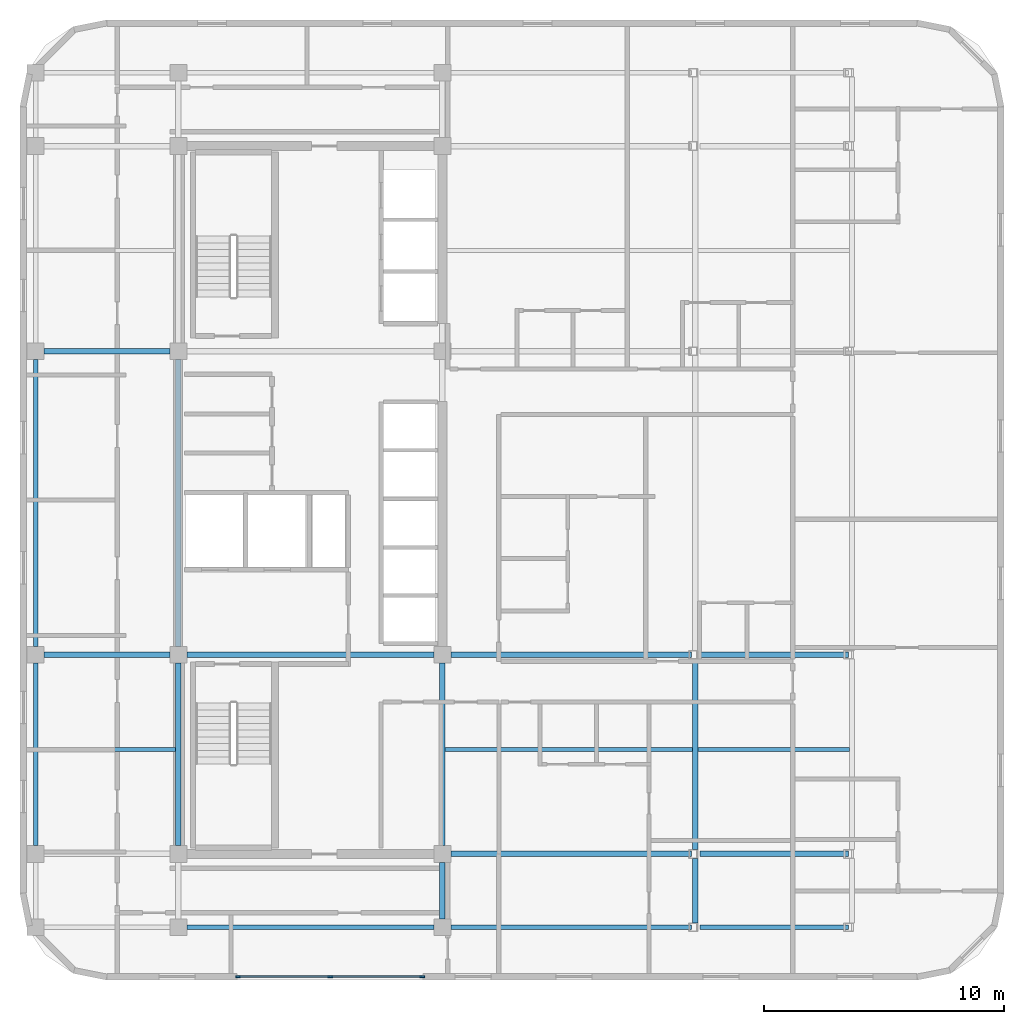
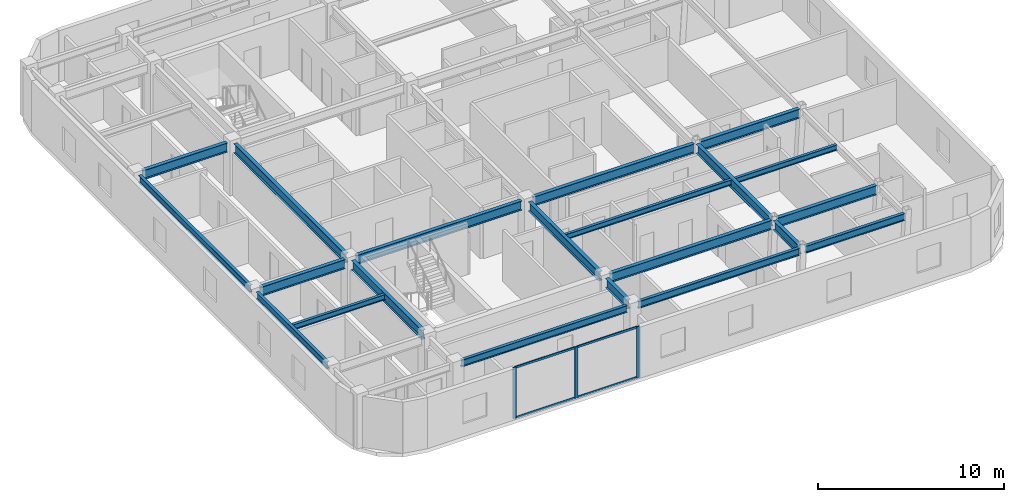
# One storey, part 2 of 9: 21 beams, 7 members, 1 element without a shape of its own.
"""IFC4 building model written with IfcOpenShell, lengths in metres."""

from ifc_helpers import new_model, si_unit, direction, frame, origin, origin_2d, place, context, subcontext, project, spatial, rectangle, i_section, extrude, material, layer, layer_set, material_profile, profile_set, type_object, element, aggregate, save


model = new_model("IFC4")

# Units and contexts
model_context = context("Model", 3, precision=1e-05, world=origin(), true_north=direction((0.0, 1.0)))
body_context = subcontext(model_context, "Body", "Model", "MODEL_VIEW")
ifc_project = project(units=[si_unit("LENGTHUNIT", "METRE"), si_unit("AREAUNIT", "SQUARE_METRE"), si_unit("VOLUMEUNIT", "CUBIC_METRE"), si_unit("PLANEANGLEUNIT", "RADIAN"), si_unit("MASSUNIT", "GRAM", prefix="KILO")], contexts=[model_context])

# Site, building, storey
site_placement = place(None, origin())
site = spatial("IfcSite", under=ifc_project, at=site_placement, CompositionType="ELEMENT")
building_placement = place(site_placement, origin())
building = spatial("IfcBuilding", under=site, at=building_placement, Name="Ochreholt Gables", CompositionType="ELEMENT")
storey_placement = place(building_placement, frame((0.0, 0.0, 162.60009765625)))
storey = spatial("IfcBuildingStorey", under=building, at=storey_placement, Name="L42", CompositionType="ELEMENT", Elevation=162.60009765625)

# Beams
ifc_material_1 = material(Name="Steel CSA G40.21 350W", Category="steel")
ifc_material_profile_1 = material_profile(ifc_material_1, i_section(OverallWidth=0.22900390625, OverallDepth=0.612060546875, WebThickness=0.011962890625, FlangeThickness=0.01953125, at=origin_2d()), Name="W610X125")
ifc_profile_set_1 = profile_set([ifc_material_profile_1], Name="Steel CSA G40.21 350W")
beam_type_1 = type_object("IfcBeamType", Name="BM-G-W610B", PredefinedType="BEAM", material=ifc_profile_set_1)
beam_1_placement = place(storey_placement, frame((35.549560546875, 9.25, 3.053955078125), z_axis=(1.0, 0.0, 0.0), x_axis=(0.0, 1.0, 0.0)))
element("IfcBeam", 1, at=beam_1_placement, inside=storey, type_object=beam_type_1, Name="L42 Beam TBG-L42-C2EM-Y2", PredefinedType="BEAM", context=body_context, shape_type="SweptSolid", body=[
    extrude(i_section(OverallWidth=0.22900390625, OverallDepth=0.612060546875, WebThickness=0.011962890625, FlangeThickness=0.01953125, at=origin_2d()), origin(), (0.0, 0.0, 1.0), 10.02587890625),
])
beam_2_placement = place(storey_placement, frame((45.9306640625, 9.25, 3.053955078125), z_axis=(1.0, 0.0, 0.0), x_axis=(0.0, 1.0, 0.0)))
element("IfcBeam", 2, at=beam_2_placement, inside=storey, type_object=beam_type_1, Name="L42 Beam TBG-L42-EMEE-Y2", PredefinedType="BEAM", context=body_context, shape_type="SweptSolid", body=[
    extrude(i_section(OverallWidth=0.22900390625, OverallDepth=0.612060546875, WebThickness=0.011962890625, FlangeThickness=0.01953125, at=origin_2d()), origin(), (0.0, 0.0, 1.0), 6.188232421875),
])
beam_3_placement = place(storey_placement, frame((18.599609375, 17.550048828125, 3.053955078125), z_axis=(1.0, 0.0, 0.0), x_axis=(0.0, 1.0, 0.0)))
element("IfcBeam", 3, at=beam_3_placement, inside=storey, type_object=beam_type_1, Name="L42 Beam TBG-L42-W3C1-Y3", PredefinedType="BEAM", context=body_context, shape_type="SweptSolid", body=[
    extrude(i_section(OverallWidth=0.22900390625, OverallDepth=0.612060546875, WebThickness=0.011962890625, FlangeThickness=0.01953125, at=origin_2d()), origin(), (0.0, 0.0, 1.0), 5.250732421875),
])
beam_4_placement = place(storey_placement, frame((24.549560546875, 17.550048828125, 3.053955078125), z_axis=(1.0, 0.0, 0.0), x_axis=(0.0, 1.0, 0.0)))
element("IfcBeam", 4, at=beam_4_placement, inside=storey, type_object=beam_type_1, Name="L42 Beam TBG-L42-C1C2-Y3", PredefinedType="BEAM", context=body_context, shape_type="SweptSolid", body=[
    extrude(i_section(OverallWidth=0.22900390625, OverallDepth=0.612060546875, WebThickness=0.011962890625, FlangeThickness=0.01953125, at=origin_2d()), origin(), (0.0, 0.0, 1.0), 10.30078125),
])
beam_5_placement = place(storey_placement, frame((35.549560546875, 17.550048828125, 3.053955078125), z_axis=(1.0, 0.0, 0.0), x_axis=(0.0, 1.0, 0.0)))
element("IfcBeam", 5, at=beam_5_placement, inside=storey, type_object=beam_type_1, Name="L42 Beam TBG-L42-C2EM-Y3", PredefinedType="BEAM", context=body_context, shape_type="SweptSolid", body=[
    extrude(i_section(OverallWidth=0.22900390625, OverallDepth=0.612060546875, WebThickness=0.011962890625, FlangeThickness=0.01953125, at=origin_2d()), origin(), (0.0, 0.0, 1.0), 10.02587890625),
])
beam_6_placement = place(storey_placement, frame((45.9306640625, 17.550048828125, 3.053955078125), z_axis=(1.0, 0.0, 0.0), x_axis=(0.0, 1.0, 0.0)))
element("IfcBeam", 6, at=beam_6_placement, inside=storey, type_object=beam_type_1, Name="L42 Beam TBG-L42-EMEE-Y3", PredefinedType="BEAM", context=body_context, shape_type="SweptSolid", body=[
    extrude(i_section(OverallWidth=0.22900390625, OverallDepth=0.612060546875, WebThickness=0.011962890625, FlangeThickness=0.01953125, at=origin_2d()), origin(), (0.0, 0.0, 1.0), 6.188232421875),
])
beam_7_placement = place(storey_placement, frame((18.599609375, 30.199951171875, 3.053955078125), z_axis=(1.0, 0.0, 0.0), x_axis=(0.0, 1.0, 0.0)))
element("IfcBeam", 7, at=beam_7_placement, inside=storey, type_object=beam_type_1, Name="L42 Beam TBG-L42-W3C1-Y4", PredefinedType="BEAM", context=body_context, shape_type="SweptSolid", body=[
    extrude(i_section(OverallWidth=0.22900390625, OverallDepth=0.612060546875, WebThickness=0.011962890625, FlangeThickness=0.01953125, at=origin_2d()), origin(), (0.0, 0.0, 1.0), 5.250732421875),
])
beam_8_placement = place(storey_placement, frame((24.199951171875, 9.599609375, 3.053955078125), z_axis=(0.0, 1.0, 0.0), x_axis=(-1.0, 0.0, 0.0)))
element("IfcBeam", 8, at=beam_8_placement, inside=storey, type_object=beam_type_1, Name="L42 Beam TBN-L42-C1-Y2Y3", PredefinedType="BEAM", context=body_context, shape_type="SweptSolid", body=[
    extrude(i_section(OverallWidth=0.22900390625, OverallDepth=0.612060546875, WebThickness=0.011962890625, FlangeThickness=0.01953125, at=origin_2d()), origin(), (0.0, 0.0, 1.0), 7.600830078125),
])
beam_9_placement = place(storey_placement, frame((24.199951171875, 17.899658203125, 3.053955078125), z_axis=(0.0, 1.0, 0.0), x_axis=(-1.0, 0.0, 0.0)))
element("IfcBeam", 9, at=beam_9_placement, inside=storey, type_object=beam_type_1, Name="L42 Beam TBN-L42-C1-Y3Y4", PredefinedType="BEAM", context=body_context, shape_type="SweptSolid", body=[
    extrude(i_section(OverallWidth=0.22900390625, OverallDepth=0.612060546875, WebThickness=0.011962890625, FlangeThickness=0.01953125, at=origin_2d()), origin(), (0.0, 0.0, 1.0), 11.95068359375),
])
beam_10_placement = place(storey_placement, frame((35.199951171875, 6.549560546875, 3.053955078125), z_axis=(0.0, 1.0, 0.0), x_axis=(-1.0, 0.0, 0.0)))
element("IfcBeam", 10, at=beam_10_placement, inside=storey, type_object=beam_type_1, Name="L42 Beam TBN-L42-C2-Y1Y2", PredefinedType="BEAM", context=body_context, shape_type="SweptSolid", body=[
    extrude(i_section(OverallWidth=0.22900390625, OverallDepth=0.612060546875, WebThickness=0.011962890625, FlangeThickness=0.01953125, at=origin_2d()), origin(), (0.0, 0.0, 1.0), 2.350830078125),
])
beam_11_placement = place(storey_placement, frame((35.199951171875, 9.599609375, 3.053955078125), z_axis=(0.0, 1.0, 0.0), x_axis=(-1.0, 0.0, 0.0)))
element("IfcBeam", 11, at=beam_11_placement, inside=storey, type_object=beam_type_1, Name="L42 Beam TBN-L42-C2-Y2Y3", PredefinedType="BEAM", context=body_context, shape_type="SweptSolid", body=[
    extrude(i_section(OverallWidth=0.22900390625, OverallDepth=0.612060546875, WebThickness=0.011962890625, FlangeThickness=0.01953125, at=origin_2d()), origin(), (0.0, 0.0, 1.0), 7.600830078125),
])
beam_12_placement = place(storey_placement, frame((45.73583984375, 6.377685546875, 3.053955078125), z_axis=(0.0, 1.0, 0.0), x_axis=(-1.0, 0.0, 0.0)))
element("IfcBeam", 12, at=beam_12_placement, inside=storey, type_object=beam_type_1, Name="L42 Beam TBN-L42-EM-Y1Y2", PredefinedType="BEAM", context=body_context, shape_type="SweptSolid", body=[
    extrude(i_section(OverallWidth=0.22900390625, OverallDepth=0.612060546875, WebThickness=0.011962890625, FlangeThickness=0.01953125, at=origin_2d()), origin(), (0.0, 0.0, 1.0), 2.69482421875),
])
beam_13_placement = place(storey_placement, frame((45.73583984375, 9.427490234375, 3.053955078125), z_axis=(0.0, 1.0, 0.0), x_axis=(-1.0, 0.0, 0.0)))
element("IfcBeam", 13, at=beam_13_placement, inside=storey, type_object=beam_type_1, Name="L42 Beam TBN-L42-EM-Y2Y3", PredefinedType="BEAM", context=body_context, shape_type="SweptSolid", body=[
    extrude(i_section(OverallWidth=0.22900390625, OverallDepth=0.612060546875, WebThickness=0.011962890625, FlangeThickness=0.01953125, at=origin_2d()), origin(), (0.0, 0.0, 1.0), 7.94482421875),
])
ifc_material_profile_2 = material_profile(ifc_material_1, i_section(OverallWidth=0.172119140625, OverallDepth=0.35791015625, WebThickness=0.0078125, FlangeThickness=0.01318359375, at=origin_2d()), Name="W360X57")
ifc_profile_set_2 = profile_set([ifc_material_profile_2], Name="Steel CSA G40.21 350W")
beam_type_2 = type_object("IfcBeamType", Name="BM-J-W360B", PredefinedType="JOIST", material=ifc_profile_set_2)
beam_14_placement = place(storey_placement, frame((18.345703125, 13.60009765625, 3.180908203125), z_axis=(1.0, 0.0, 0.0), x_axis=(0.0, 1.0, 0.0)))
element("IfcBeam", 14, at=beam_14_placement, inside=storey, type_object=beam_type_2, Name="L42 Beam TBJ-L42-J1-W3C1", PredefinedType="JOIST", context=body_context, shape_type="SweptSolid", body=[
    extrude(i_section(OverallWidth=0.172119140625, OverallDepth=0.35791015625, WebThickness=0.0078125, FlangeThickness=0.01318359375, at=origin_2d()), origin(), (0.0, 0.0, 1.0), 5.740234375),
])
beam_15_placement = place(storey_placement, frame((35.314208984375, 13.60009765625, 3.180908203125), z_axis=(1.0, 0.0, 0.0), x_axis=(0.0, 1.0, 0.0)))
element("IfcBeam", 15, at=beam_15_placement, inside=storey, type_object=beam_type_2, Name="L42 Beam TBJ-L42-J1-C2EM", PredefinedType="JOIST", context=body_context, shape_type="SweptSolid", body=[
    extrude(i_section(OverallWidth=0.172119140625, OverallDepth=0.35791015625, WebThickness=0.0078125, FlangeThickness=0.01318359375, at=origin_2d()), origin(), (0.0, 0.0, 1.0), 10.307373046875),
])
beam_16_placement = place(storey_placement, frame((45.849853515625, 13.60009765625, 3.180908203125), z_axis=(1.0, 0.0, 0.0), x_axis=(0.0, 1.0, 0.0)))
element("IfcBeam", 16, at=beam_16_placement, inside=storey, type_object=beam_type_2, Name="L42 Beam TBJ-L42-J1-EMEE", PredefinedType="JOIST", context=body_context, shape_type="SweptSolid", body=[
    extrude(i_section(OverallWidth=0.172119140625, OverallDepth=0.35791015625, WebThickness=0.0078125, FlangeThickness=0.01318359375, at=origin_2d()), origin(), (0.0, 0.0, 1.0), 6.322509765625),
])
ifc_material_profile_3 = material_profile(ifc_material_1, i_section(OverallWidth=0.19189453125, OverallDepth=0.462890625, WebThickness=0.010498046875, FlangeThickness=0.017578125, at=origin_2d()), Name="W460X89")
ifc_profile_set_3 = profile_set([ifc_material_profile_3], Name="Steel CSA G40.21 350W")
beam_type_3 = type_object("IfcBeamType", Name="BM-SP-W460A", PredefinedType="SPANDREL", material=ifc_profile_set_3)
beam_17_placement = place(storey_placement, frame((24.549560546875, 6.199951171875, 3.12841796875), z_axis=(1.0, 0.0, 0.0), x_axis=(0.0, 1.0, 0.0)))
element("IfcBeam", 17, at=beam_17_placement, inside=storey, type_object=beam_type_3, Name="L42 Beam TBG-L42-C1C2-Y1", PredefinedType="SPANDREL", context=body_context, shape_type="SweptSolid", body=[
    extrude(i_section(OverallWidth=0.19189453125, OverallDepth=0.462890625, WebThickness=0.010498046875, FlangeThickness=0.017578125, at=origin_2d()), origin(), (0.0, 0.0, 1.0), 10.30078125),
])
beam_18_placement = place(storey_placement, frame((35.549560546875, 6.199951171875, 3.12841796875), z_axis=(1.0, 0.0, 0.0), x_axis=(0.0, 1.0, 0.0)))
element("IfcBeam", 18, at=beam_18_placement, inside=storey, type_object=beam_type_3, Name="L42 Beam TBG-L42-C2EM-Y1", PredefinedType="SPANDREL", context=body_context, shape_type="SweptSolid", body=[
    extrude(i_section(OverallWidth=0.19189453125, OverallDepth=0.462890625, WebThickness=0.010498046875, FlangeThickness=0.017578125, at=origin_2d()), origin(), (0.0, 0.0, 1.0), 10.02587890625),
])
beam_19_placement = place(storey_placement, frame((45.9306640625, 6.199951171875, 3.12841796875), z_axis=(1.0, 0.0, 0.0), x_axis=(0.0, 1.0, 0.0)))
element("IfcBeam", 19, at=beam_19_placement, inside=storey, type_object=beam_type_3, Name="L42 Beam TBG-L42-EMEE-Y1", PredefinedType="SPANDREL", context=body_context, shape_type="SweptSolid", body=[
    extrude(i_section(OverallWidth=0.19189453125, OverallDepth=0.462890625, WebThickness=0.010498046875, FlangeThickness=0.017578125, at=origin_2d()), origin(), (0.0, 0.0, 1.0), 6.188232421875),
])
beam_20_placement = place(storey_placement, frame((18.25, 9.599609375, 3.12841796875), z_axis=(0.0, 1.0, 0.0), x_axis=(-1.0, 0.0, 0.0)))
element("IfcBeam", 20, at=beam_20_placement, inside=storey, type_object=beam_type_3, Name="L42 Beam TBN-L42-W3-Y2Y3", PredefinedType="SPANDREL", context=body_context, shape_type="SweptSolid", body=[
    extrude(i_section(OverallWidth=0.19189453125, OverallDepth=0.462890625, WebThickness=0.010498046875, FlangeThickness=0.017578125, at=origin_2d()), origin(), (0.0, 0.0, 1.0), 7.600830078125),
])
beam_21_placement = place(storey_placement, frame((18.25, 17.899658203125, 3.12841796875), z_axis=(0.0, 1.0, 0.0), x_axis=(-1.0, 0.0, 0.0)))
element("IfcBeam", 21, at=beam_21_placement, inside=storey, type_object=beam_type_3, Name="L42 Beam TBN-L42-W3-Y3Y4", PredefinedType="SPANDREL", context=body_context, shape_type="SweptSolid", body=[
    extrude(i_section(OverallWidth=0.19189453125, OverallDepth=0.462890625, WebThickness=0.010498046875, FlangeThickness=0.017578125, at=origin_2d()), origin(), (0.0, 0.0, 1.0), 11.95068359375),
])

# Curtain wall, members
ifc_material_2 = material(Name="Unitised Aluminium and Triple Glazing", Category="aluminium")
ifc_layer = layer(ifc_material_2, 0.199951171875, Name="Unitised Aluminium and Triple Glazing")
ifc_layer_set = layer_set([ifc_layer], Name="Unitised Aluminium and Triple Glazing")
curtain_wall_type = type_object("IfcCurtainWallType", Name="CW-SYS4", PredefinedType="NOTDEFINED", material=ifc_layer_set)
curtain_wall_placement = place(storey_placement, origin())
curtain_wall = element("IfcCurtainWall", 22, at=curtain_wall_placement, inside=storey, type_object=curtain_wall_type, Name="L42 South Unitised Curtain Wall", PredefinedType="NOTDEFINED")
ifc_material_3 = material(Name="Anodized Aluminium 6063-T6", Category="aluminium")
ifc_material_profile_4 = material_profile(ifc_material_3, rectangle(XDim=0.074951171875, YDim=0.199951171875, at=origin_2d()), Name="CWM75X200")
ifc_profile_set_4 = profile_set([ifc_material_profile_4], Name="Anodized Aluminium 6063-T6")
member_type_1 = type_object("IfcMemberType", Name="CW-MUL-A", PredefinedType="MULLION", material=ifc_profile_set_4)
member_1_placement = place(storey_placement, frame((26.6875, 4.139892578125, 0.0), z_axis=(0.0, 0.0, 1.0), x_axis=(0.0, 1.0, 0.0)))
member_1 = element("IfcMember", 23, at=member_1_placement, type_object=member_type_1, Name="CW-4 mullion 1", PredefinedType="MULLION", context=body_context, shape_type="SweptSolid", body=[
    extrude(rectangle(XDim=0.074951171875, YDim=0.199951171875, at=origin_2d()), origin(), (0.0, 0.0, 1.0), 3.35986328125),
])
member_2_placement = place(storey_placement, frame((30.52490234375, 4.139892578125, 0.0), z_axis=(0.0, 0.0, 1.0), x_axis=(0.0, 1.0, 0.0)))
member_2 = element("IfcMember", 24, at=member_2_placement, type_object=member_type_1, Name="CW-4 mullion 2", PredefinedType="MULLION", context=body_context, shape_type="SweptSolid", body=[
    extrude(rectangle(XDim=0.074951171875, YDim=0.199951171875, at=origin_2d()), origin(), (0.0, 0.0, 1.0), 3.35986328125),
])
member_3_placement = place(storey_placement, frame((34.362548828125, 4.139892578125, 0.0), z_axis=(0.0, 0.0, 1.0), x_axis=(0.0, 1.0, 0.0)))
member_3 = element("IfcMember", 25, at=member_3_placement, type_object=member_type_1, Name="CW-4 mullion 3", PredefinedType="MULLION", context=body_context, shape_type="SweptSolid", body=[
    extrude(rectangle(XDim=0.074951171875, YDim=0.199951171875, at=origin_2d()), origin(), (0.0, 0.0, 1.0), 3.35986328125),
])
ifc_material_profile_5 = material_profile(ifc_material_3, rectangle(XDim=0.06494140625, YDim=0.135009765625, at=origin_2d()), Name="CWT65X135")
ifc_profile_set_5 = profile_set([ifc_material_profile_5], Name="Anodized Aluminium 6063-T6")
member_type_2 = type_object("IfcMemberType", Name="CW-TRN-B", PredefinedType="USERDEFINED", material=ifc_profile_set_5)
member_4_placement = place(storey_placement, frame((26.72509765625, 4.139892578125, 0.032470703125), z_axis=(1.0, 0.0, 0.0), x_axis=(0.0, 1.0, 0.0)))
member_4 = element("IfcMember", 26, at=member_4_placement, type_object=member_type_2, Name="CW-4 transom 1.1", ObjectType="TRANSOM", PredefinedType="USERDEFINED", context=body_context, shape_type="SweptSolid", body=[
    extrude(rectangle(XDim=0.06494140625, YDim=0.135009765625, at=origin_2d()), origin(), (0.0, 0.0, 1.0), 3.762451171875),
])
member_5_placement = place(storey_placement, frame((26.72509765625, 4.139892578125, 3.327392578125), z_axis=(1.0, 0.0, 0.0), x_axis=(0.0, 1.0, 0.0)))
member_5 = element("IfcMember", 27, at=member_5_placement, type_object=member_type_2, Name="CW-4 transom 1.2", ObjectType="TRANSOM", PredefinedType="USERDEFINED", context=body_context, shape_type="SweptSolid", body=[
    extrude(rectangle(XDim=0.06494140625, YDim=0.135009765625, at=origin_2d()), origin(), (0.0, 0.0, 1.0), 3.762451171875),
])
member_6_placement = place(storey_placement, frame((30.5625, 4.139892578125, 0.032470703125), z_axis=(1.0, 0.0, 0.0), x_axis=(0.0, 1.0, 0.0)))
member_6 = element("IfcMember", 28, at=member_6_placement, type_object=member_type_2, Name="CW-4 transom 2.1", ObjectType="TRANSOM", PredefinedType="USERDEFINED", context=body_context, shape_type="SweptSolid", body=[
    extrude(rectangle(XDim=0.06494140625, YDim=0.135009765625, at=origin_2d()), origin(), (0.0, 0.0, 1.0), 3.762451171875),
])
member_7_placement = place(storey_placement, frame((30.5625, 4.139892578125, 3.327392578125), z_axis=(1.0, 0.0, 0.0), x_axis=(0.0, 1.0, 0.0)))
member_7 = element("IfcMember", 29, at=member_7_placement, type_object=member_type_2, Name="CW-4 transom 2.2", ObjectType="TRANSOM", PredefinedType="USERDEFINED", context=body_context, shape_type="SweptSolid", body=[
    extrude(rectangle(XDim=0.06494140625, YDim=0.135009765625, at=origin_2d()), origin(), (0.0, 0.0, 1.0), 3.762451171875),
])
aggregate(curtain_wall, [member_1, member_2, member_3, member_4, member_5, member_6, member_7])

save(model, "model.ifc")
